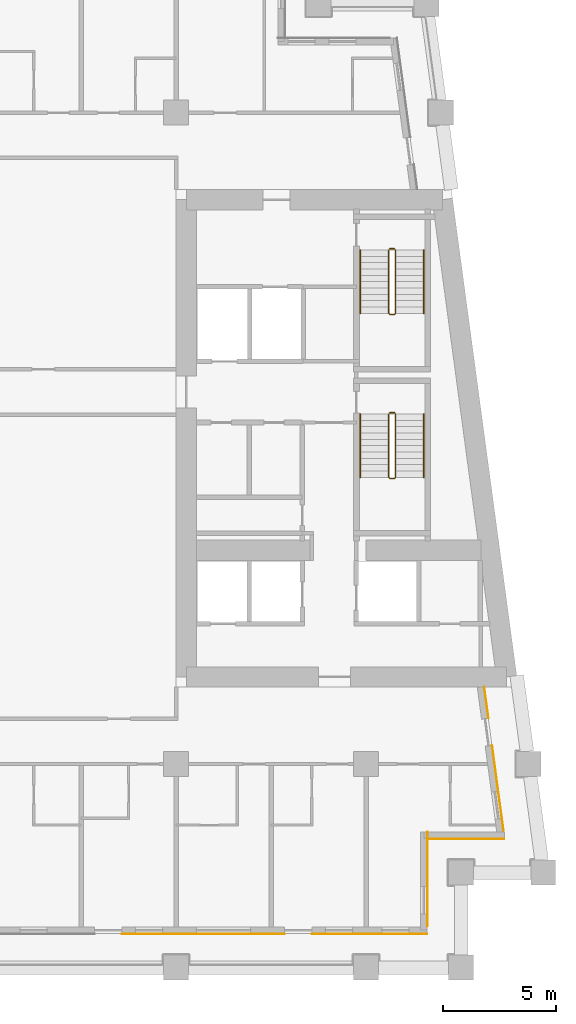
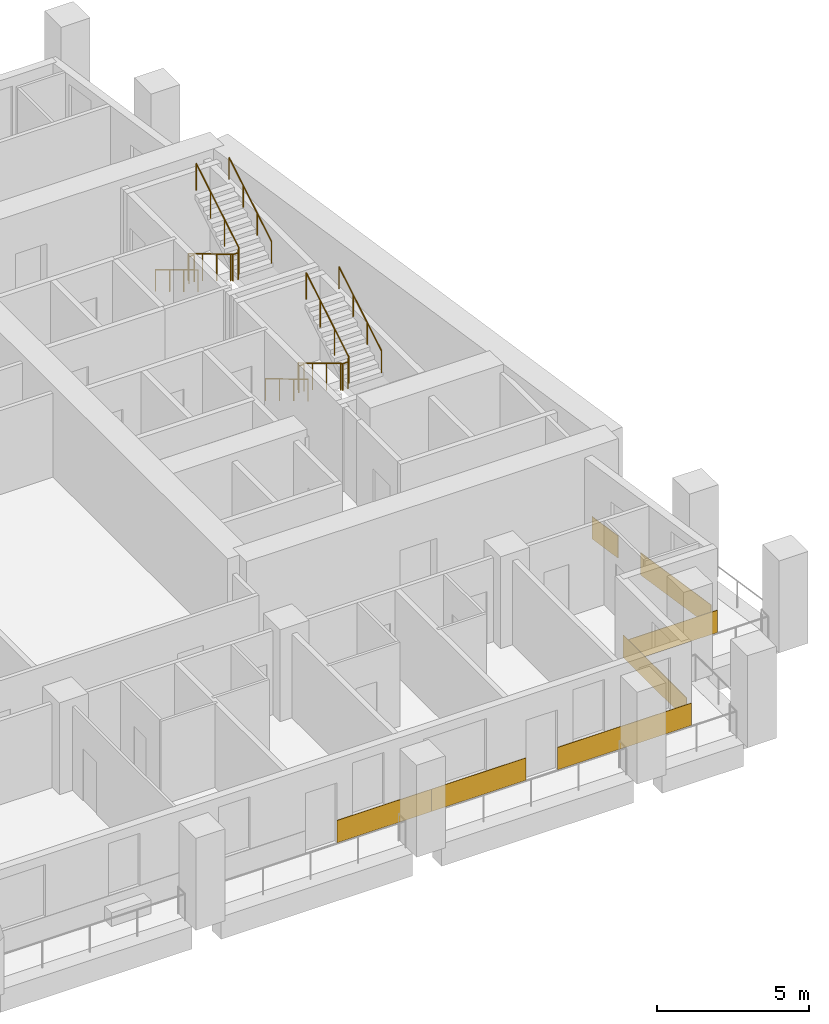
# One storey, part 12 of 14: 8 railings, 7 coverings.
"""IFC4 building model written with IfcOpenShell, lengths in metres."""

from ifc_helpers import new_model, si_unit, direction, frame, origin, origin_2d, place, context, subcontext, project, spatial, rectangle, circle, extrude, material, layer, layer_set, type_object, element, save


model = new_model("IFC4")

# Units and contexts
model_context = context("Model", 3, precision=1e-05, world=origin(), true_north=direction((0.0, 1.0)))
body_context = subcontext(model_context, "Body", "Model", "MODEL_VIEW")
ifc_project = project(units=[si_unit("LENGTHUNIT", "METRE"), si_unit("AREAUNIT", "SQUARE_METRE"), si_unit("VOLUMEUNIT", "CUBIC_METRE"), si_unit("PLANEANGLEUNIT", "RADIAN"), si_unit("MASSUNIT", "GRAM", prefix="KILO")], contexts=[model_context])

# Site, building, storey
site_placement = place(None, origin())
site = spatial("IfcSite", under=ifc_project, at=site_placement, CompositionType="ELEMENT")
building_placement = place(site_placement, origin())
building = spatial("IfcBuilding", under=site, at=building_placement, Name="Candeia Pilgrim Tower and Theatre", CompositionType="ELEMENT")
storey_placement = place(building_placement, frame((0.0, 0.0, 173.699951171875)))
storey = spatial("IfcBuildingStorey", under=building, at=storey_placement, Name="L41", CompositionType="ELEMENT", Elevation=173.699951171875)

# Coverings
ifc_material_1 = material(Name="Glazed ceramic tile red")
ifc_layer_1 = layer(ifc_material_1, 0.02001953125)
ifc_layer_set_1 = layer_set([ifc_layer_1], Name="Glazed ceramic tile red")
covering_type_1 = type_object("IfcCoveringType", Name="Glazed ceramic tile red", PredefinedType="CLADDING", material=ifc_layer_set_1)
covering_1_placement = place(storey_placement, frame((125.39990234375, 99.489990234375, 0.0), z_axis=(0.0, 0.0, 1.0), x_axis=(1.0, 0.0, 0.0)))
element("IfcCovering", 1, at=covering_1_placement, inside=storey, type_object=covering_type_1, Name="Tile cladding red L41", PredefinedType="CLADDING", context=body_context, shape_type="SweptSolid", body=[
    extrude(rectangle(XDim=3.60009765625, YDim=0.02001953125, at=origin_2d()), origin(), (0.0, 0.0, 1.0), 0.89990234375),
])
ifc_material_2 = material(Name="Glazed ceramic tile rust")
ifc_layer_2 = layer(ifc_material_2, 0.02001953125)
ifc_layer_set_2 = layer_set([ifc_layer_2], Name="Glazed ceramic tile rust")
covering_type_2 = type_object("IfcCoveringType", Name="Glazed ceramic tile rust", PredefinedType="CLADDING", material=ifc_layer_set_2)
covering_2_placement = place(storey_placement, frame((129.0, 99.489990234375, 0.0), z_axis=(0.0, 0.0, 1.0), x_axis=(1.0, 0.0, 0.0)))
element("IfcCovering", 2, at=covering_2_placement, inside=storey, type_object=covering_type_2, Name="Tile cladding rust L41", PredefinedType="CLADDING", context=body_context, shape_type="SweptSolid", body=[
    extrude(rectangle(XDim=3.60009765625, YDim=0.02001953125, at=origin_2d()), origin(), (0.0, 0.0, 1.0), 0.89990234375),
])
covering_3_placement = place(storey_placement, frame((134.550048828125, 99.489990234375, 0.0), z_axis=(0.0, 0.0, 1.0), x_axis=(1.0, 0.0, 0.0)))
element("IfcCovering", 3, at=covering_3_placement, inside=storey, type_object=covering_type_2, Name="Tile cladding rust L41", PredefinedType="CLADDING", context=body_context, shape_type="SweptSolid", body=[
    extrude(rectangle(XDim=5.10009765625, YDim=0.02001953125, at=origin_2d()), origin(), (0.0, 0.0, 1.0), 0.89990234375),
])
covering_4_placement = place(storey_placement, frame((137.110107421875, 101.909912109375, 0.0), z_axis=(0.0, 0.0, 1.0), x_axis=(0.0, 1.0, 0.0)))
element("IfcCovering", 4, at=covering_4_placement, inside=storey, type_object=covering_type_2, Name="Tile cladding rust L41", PredefinedType="CLADDING", context=body_context, shape_type="SweptSolid", body=[
    extrude(rectangle(XDim=4.179931640625, YDim=0.02001953125, at=origin_2d()), origin(), (0.0, 0.0, 1.0), 0.89990234375),
])
covering_5_placement = place(storey_placement, frame((138.819580078125, 103.68994140625, 0.0), z_axis=(0.0, 0.0, 1.0), x_axis=(1.0, 0.0, 0.0)))
element("IfcCovering", 5, at=covering_5_placement, inside=storey, type_object=covering_type_2, Name="Tile cladding rust L41", PredefinedType="CLADDING", context=body_context, shape_type="SweptSolid", body=[
    extrude(rectangle(XDim=3.399169921875, YDim=0.02001953125, at=origin_2d()), origin(), (0.0, 0.0, 1.0), 0.89990234375),
])
covering_6_placement = place(storey_placement, frame((140.228515625, 105.933349609375, 0.0), z_axis=(0.0, 0.0, 1.0), x_axis=(-0.133412012145, 0.991060661622, 0.0)))
element("IfcCovering", 6, at=covering_6_placement, inside=storey, type_object=covering_type_2, Name="Tile cladding rust L41", PredefinedType="CLADDING", context=body_context, shape_type="SweptSolid", body=[
    extrude(rectangle(XDim=3.821044921875, YDim=0.02001953125, at=origin_2d()), origin(), (0.0, 0.0, 1.0), 0.89990234375),
])
covering_7_placement = place(storey_placement, frame((139.718994140625, 109.71875, 0.0), z_axis=(0.0, 0.0, 1.0), x_axis=(-0.133412012145, 0.991060661622, 0.0)))
element("IfcCovering", 7, at=covering_7_placement, inside=storey, type_object=covering_type_2, Name="Tile cladding rust L41", PredefinedType="CLADDING", context=body_context, shape_type="SweptSolid", body=[
    extrude(rectangle(XDim=1.41796875, YDim=0.02001953125, at=origin_2d()), origin(), (0.0, 0.0, 1.0), 0.89990234375),
])

# Railings
ifc_material_3 = material(Name="Stainless steel balustrade", Category="steel")
railing_type_1 = type_object("IfcRailingType", Name="RL-GUARD-1100", PredefinedType="GUARDRAIL", material=ifc_material_3)
railing_1_placement = place(storey_placement, frame((135.39794921875, 122.47509765625, 0.168212890625)))
element("IfcRailing", 8, at=railing_1_placement, inside=storey, type_object=railing_type_1, Name="L41 ST3 stair guard 1", PredefinedType="GUARDRAIL", context=body_context, shape_type="SweptSolid", body=[
    extrude(circle(Radius=0.02392578125, at=origin_2d()), frame((0.0, 0.0, 1.076171875), z_axis=(0.0, -0.857242210791, 0.514913383045), x_axis=(1.0, 0.0, 0.0)), (0.0, 0.0, 1.0), 3.266357421875),
    extrude(circle(Radius=0.02392578125, at=origin_2d()), frame((0.0, -2.800048828125, 2.7578125), z_axis=(0.707106781187, -0.707106781187, 0.0), x_axis=(0.707106781187, 0.707106781187, 0.0)), (0.0, 0.0, 1.0), 0.07080078125),
    extrude(circle(Radius=0.02392578125, at=origin_2d()), frame((0.050048828125, -2.85009765625, 2.7578125), z_axis=(1.0, 0.0, 0.0), x_axis=(0.0, 1.0, 0.0)), (0.0, 0.0, 1.0), 0.199951171875),
    extrude(circle(Radius=0.02392578125, at=origin_2d()), frame((0.25, -2.85009765625, 2.7578125), z_axis=(0.274243871929, 0.274243871929, 0.92172696468), x_axis=(-0.707106781187, 0.707106781187, 0.0)), (0.0, 0.0, 1.0), 0.1826171875),
    extrude(circle(Radius=0.02392578125, at=origin_2d()), frame((0.300048828125, -2.800048828125, 2.92626953125), z_axis=(0.0, 0.857275202839, 0.514858452973), x_axis=(-1.0, 0.0, 0.0)), (0.0, 0.0, 1.0), 3.26611328125),
    extrude(circle(Radius=0.02099609375, at=origin_2d()), origin(), (0.0, 0.0, 1.0), 1.052001953125),
    extrude(circle(Radius=0.02099609375, at=origin_2d()), frame((0.0, -0.933349609375, 0.560546875)), (0.0, 0.0, 1.0), 1.052001953125),
    extrude(circle(Radius=0.02099609375, at=origin_2d()), frame((0.0, -1.86669921875, 1.121337890625)), (0.0, 0.0, 1.0), 1.052001953125),
    extrude(circle(Radius=0.02099609375, at=origin_2d()), frame((0.0, -2.800048828125, 1.681884765625)), (0.0, 0.0, 1.0), 1.052001953125),
    extrude(circle(Radius=0.02099609375, at=origin_2d()), frame((0.050048828125, -2.85009765625, 1.681884765625)), (0.0, 0.0, 1.0), 1.052001953125),
    extrude(circle(Radius=0.02099609375, at=origin_2d()), frame((0.25, -2.85009765625, 1.681884765625)), (0.0, 0.0, 1.0), 1.052001953125),
    extrude(circle(Radius=0.02099609375, at=origin_2d()), frame((0.300048828125, -2.800048828125, 1.85009765625)), (0.0, 0.0, 1.0), 1.052001953125),
    extrude(circle(Radius=0.02099609375, at=origin_2d()), frame((0.300048828125, -1.86669921875, 2.41064453125)), (0.0, 0.0, 1.0), 1.052001953125),
    extrude(circle(Radius=0.02099609375, at=origin_2d()), frame((0.300048828125, -0.933349609375, 2.97119140625)), (0.0, 0.0, 1.0), 1.052001953125),
    extrude(circle(Radius=0.02099609375, at=origin_2d()), frame((0.300048828125, 0.0, 3.53173828125)), (0.0, 0.0, 1.0), 1.052001953125),
])
railing_2_placement = place(storey_placement, frame((135.447998046875, 122.52490234375, 0.0)))
element("IfcRailing", 9, at=railing_2_placement, inside=storey, type_object=railing_type_1, Name="L41 ST3 stair guard 2", PredefinedType="GUARDRAIL", context=body_context, shape_type="SweptSolid", body=[
    extrude(circle(Radius=0.02392578125, at=origin_2d()), frame((0.0, 0.0, 1.076171875), z_axis=(1.0, 0.0, 0.0), x_axis=(0.0, 1.0, 0.0)), (0.0, 0.0, 1.0), 0.199951171875),
    extrude(circle(Radius=0.02099609375, at=origin_2d()), origin(), (0.0, 0.0, 1.0), 1.052001953125),
    extrude(circle(Radius=0.02099609375, at=origin_2d()), frame((0.199951171875, 0.0, 0.0)), (0.0, 0.0, 1.0), 1.052001953125),
])
railing_3_placement = place(storey_placement, frame((135.39794921875, 129.72509765625, 0.168212890625)))
element("IfcRailing", 10, at=railing_3_placement, inside=storey, type_object=railing_type_1, Name="L41 ST4 stair guard 1", PredefinedType="GUARDRAIL", context=body_context, shape_type="SweptSolid", body=[
    extrude(circle(Radius=0.02392578125, at=origin_2d()), frame((0.0, 0.0, 1.076171875), z_axis=(0.0, -0.857242210791, 0.514913383045), x_axis=(1.0, 0.0, 0.0)), (0.0, 0.0, 1.0), 3.266357421875),
    extrude(circle(Radius=0.02392578125, at=origin_2d()), frame((0.0, -2.800048828125, 2.7578125), z_axis=(0.707106781187, -0.707106781187, 0.0), x_axis=(0.707106781187, 0.707106781187, 0.0)), (0.0, 0.0, 1.0), 0.07080078125),
    extrude(circle(Radius=0.02392578125, at=origin_2d()), frame((0.050048828125, -2.85009765625, 2.7578125), z_axis=(1.0, 0.0, 0.0), x_axis=(0.0, 1.0, 0.0)), (0.0, 0.0, 1.0), 0.199951171875),
    extrude(circle(Radius=0.02392578125, at=origin_2d()), frame((0.25, -2.85009765625, 2.7578125), z_axis=(0.274243871929, 0.274243871929, 0.92172696468), x_axis=(-0.707106781187, 0.707106781187, 0.0)), (0.0, 0.0, 1.0), 0.1826171875),
    extrude(circle(Radius=0.02392578125, at=origin_2d()), frame((0.300048828125, -2.800048828125, 2.92626953125), z_axis=(0.0, 0.857275202839, 0.514858452973), x_axis=(-1.0, 0.0, 0.0)), (0.0, 0.0, 1.0), 3.26611328125),
    extrude(circle(Radius=0.02099609375, at=origin_2d()), origin(), (0.0, 0.0, 1.0), 1.052001953125),
    extrude(circle(Radius=0.02099609375, at=origin_2d()), frame((0.0, -0.933349609375, 0.560546875)), (0.0, 0.0, 1.0), 1.052001953125),
    extrude(circle(Radius=0.02099609375, at=origin_2d()), frame((0.0, -1.86669921875, 1.121337890625)), (0.0, 0.0, 1.0), 1.052001953125),
    extrude(circle(Radius=0.02099609375, at=origin_2d()), frame((0.0, -2.800048828125, 1.681884765625)), (0.0, 0.0, 1.0), 1.052001953125),
    extrude(circle(Radius=0.02099609375, at=origin_2d()), frame((0.050048828125, -2.85009765625, 1.681884765625)), (0.0, 0.0, 1.0), 1.052001953125),
    extrude(circle(Radius=0.02099609375, at=origin_2d()), frame((0.25, -2.85009765625, 1.681884765625)), (0.0, 0.0, 1.0), 1.052001953125),
    extrude(circle(Radius=0.02099609375, at=origin_2d()), frame((0.300048828125, -2.800048828125, 1.85009765625)), (0.0, 0.0, 1.0), 1.052001953125),
    extrude(circle(Radius=0.02099609375, at=origin_2d()), frame((0.300048828125, -1.86669921875, 2.41064453125)), (0.0, 0.0, 1.0), 1.052001953125),
    extrude(circle(Radius=0.02099609375, at=origin_2d()), frame((0.300048828125, -0.933349609375, 2.97119140625)), (0.0, 0.0, 1.0), 1.052001953125),
    extrude(circle(Radius=0.02099609375, at=origin_2d()), frame((0.300048828125, 0.0, 3.53173828125)), (0.0, 0.0, 1.0), 1.052001953125),
])
railing_4_placement = place(storey_placement, frame((135.447998046875, 129.77490234375, 0.0)))
element("IfcRailing", 11, at=railing_4_placement, inside=storey, type_object=railing_type_1, Name="L41 ST4 stair guard 2", PredefinedType="GUARDRAIL", context=body_context, shape_type="SweptSolid", body=[
    extrude(circle(Radius=0.02392578125, at=origin_2d()), frame((0.0, 0.0, 1.076171875), z_axis=(1.0, 0.0, 0.0), x_axis=(0.0, 1.0, 0.0)), (0.0, 0.0, 1.0), 0.199951171875),
    extrude(circle(Radius=0.02099609375, at=origin_2d()), origin(), (0.0, 0.0, 1.0), 1.052001953125),
    extrude(circle(Radius=0.02099609375, at=origin_2d()), frame((0.199951171875, 0.0, 0.0)), (0.0, 0.0, 1.0), 1.052001953125),
])
ifc_material_4 = material(Name="Stainless steel handrail", Category="steel")
railing_type_2 = type_object("IfcRailingType", Name="RL-HANDRAIL-900", PredefinedType="HANDRAIL", material=ifc_material_4)
railing_5_placement = place(storey_placement, frame((134.14794921875, 122.47509765625, 0.168212890625)))
element("IfcRailing", 12, at=railing_5_placement, inside=storey, type_object=railing_type_2, Name="L41 ST3 stair handrail 1", PredefinedType="HANDRAIL", context=body_context, shape_type="SweptSolid", body=[
    extrude(circle(Radius=0.02392578125, at=origin_2d()), frame((0.0, 0.0, 0.8759765625), z_axis=(0.0, -0.857242210791, 0.514913383045), x_axis=(1.0, 0.0, 0.0)), (0.0, 0.0, 1.0), 3.266357421875),
    extrude(circle(Radius=0.02099609375, at=origin_2d()), origin(), (0.0, 0.0, 1.0), 0.851806640625),
    extrude(circle(Radius=0.02099609375, at=origin_2d()), frame((0.0, -0.933349609375, 0.560546875)), (0.0, 0.0, 1.0), 0.851806640625),
    extrude(circle(Radius=0.02099609375, at=origin_2d()), frame((0.0, -1.86669921875, 1.121337890625)), (0.0, 0.0, 1.0), 0.851806640625),
    extrude(circle(Radius=0.02099609375, at=origin_2d()), frame((0.0, -2.800048828125, 1.681884765625)), (0.0, 0.0, 1.0), 0.851806640625),
])
railing_6_placement = place(storey_placement, frame((136.947998046875, 119.675048828125, 2.018310546875)))
element("IfcRailing", 13, at=railing_6_placement, inside=storey, type_object=railing_type_2, Name="L41 ST3 stair handrail 2", PredefinedType="HANDRAIL", context=body_context, shape_type="SweptSolid", body=[
    extrude(circle(Radius=0.02392578125, at=origin_2d()), frame((0.0, 0.0, 0.8759765625), z_axis=(0.0, 0.857275202839, 0.514858452973), x_axis=(-1.0, 0.0, 0.0)), (0.0, 0.0, 1.0), 3.26611328125),
    extrude(circle(Radius=0.02099609375, at=origin_2d()), origin(), (0.0, 0.0, 1.0), 0.851806640625),
    extrude(circle(Radius=0.02099609375, at=origin_2d()), frame((0.0, 0.933349609375, 0.560546875)), (0.0, 0.0, 1.0), 0.851806640625),
    extrude(circle(Radius=0.02099609375, at=origin_2d()), frame((0.0, 1.86669921875, 1.12109375)), (0.0, 0.0, 1.0), 0.851806640625),
    extrude(circle(Radius=0.02099609375, at=origin_2d()), frame((0.0, 2.800048828125, 1.681640625)), (0.0, 0.0, 1.0), 0.851806640625),
])
railing_7_placement = place(storey_placement, frame((134.14794921875, 129.72509765625, 0.168212890625)))
element("IfcRailing", 14, at=railing_7_placement, inside=storey, type_object=railing_type_2, Name="L41 ST4 stair handrail 1", PredefinedType="HANDRAIL", context=body_context, shape_type="SweptSolid", body=[
    extrude(circle(Radius=0.02392578125, at=origin_2d()), frame((0.0, 0.0, 0.8759765625), z_axis=(0.0, -0.857242210791, 0.514913383045), x_axis=(1.0, 0.0, 0.0)), (0.0, 0.0, 1.0), 3.266357421875),
    extrude(circle(Radius=0.02099609375, at=origin_2d()), origin(), (0.0, 0.0, 1.0), 0.851806640625),
    extrude(circle(Radius=0.02099609375, at=origin_2d()), frame((0.0, -0.933349609375, 0.560546875)), (0.0, 0.0, 1.0), 0.851806640625),
    extrude(circle(Radius=0.02099609375, at=origin_2d()), frame((0.0, -1.86669921875, 1.121337890625)), (0.0, 0.0, 1.0), 0.851806640625),
    extrude(circle(Radius=0.02099609375, at=origin_2d()), frame((0.0, -2.800048828125, 1.681884765625)), (0.0, 0.0, 1.0), 0.851806640625),
])
railing_8_placement = place(storey_placement, frame((136.947998046875, 126.925048828125, 2.018310546875)))
element("IfcRailing", 15, at=railing_8_placement, inside=storey, type_object=railing_type_2, Name="L41 ST4 stair handrail 2", PredefinedType="HANDRAIL", context=body_context, shape_type="SweptSolid", body=[
    extrude(circle(Radius=0.02392578125, at=origin_2d()), frame((0.0, 0.0, 0.8759765625), z_axis=(0.0, 0.857275202839, 0.514858452973), x_axis=(-1.0, 0.0, 0.0)), (0.0, 0.0, 1.0), 3.26611328125),
    extrude(circle(Radius=0.02099609375, at=origin_2d()), origin(), (0.0, 0.0, 1.0), 0.851806640625),
    extrude(circle(Radius=0.02099609375, at=origin_2d()), frame((0.0, 0.933349609375, 0.560546875)), (0.0, 0.0, 1.0), 0.851806640625),
    extrude(circle(Radius=0.02099609375, at=origin_2d()), frame((0.0, 1.86669921875, 1.12109375)), (0.0, 0.0, 1.0), 0.851806640625),
    extrude(circle(Radius=0.02099609375, at=origin_2d()), frame((0.0, 2.800048828125, 1.681640625)), (0.0, 0.0, 1.0), 0.851806640625),
])

save(model, "model.ifc")
